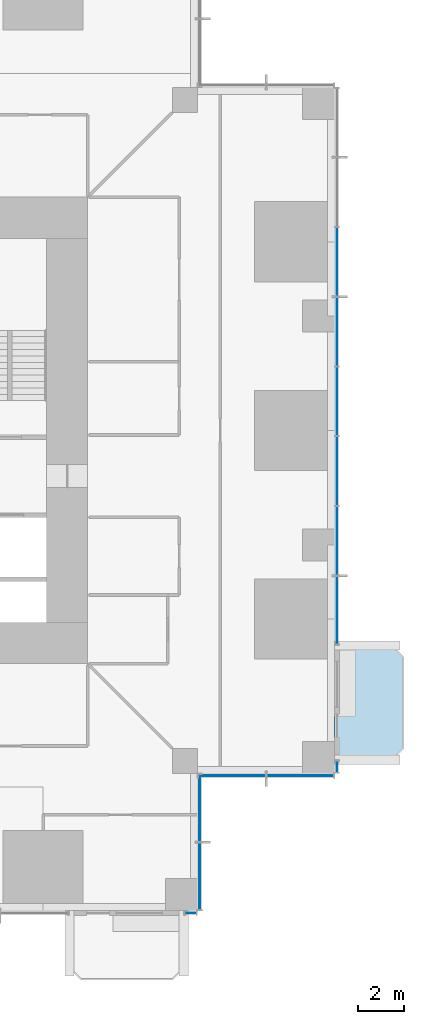
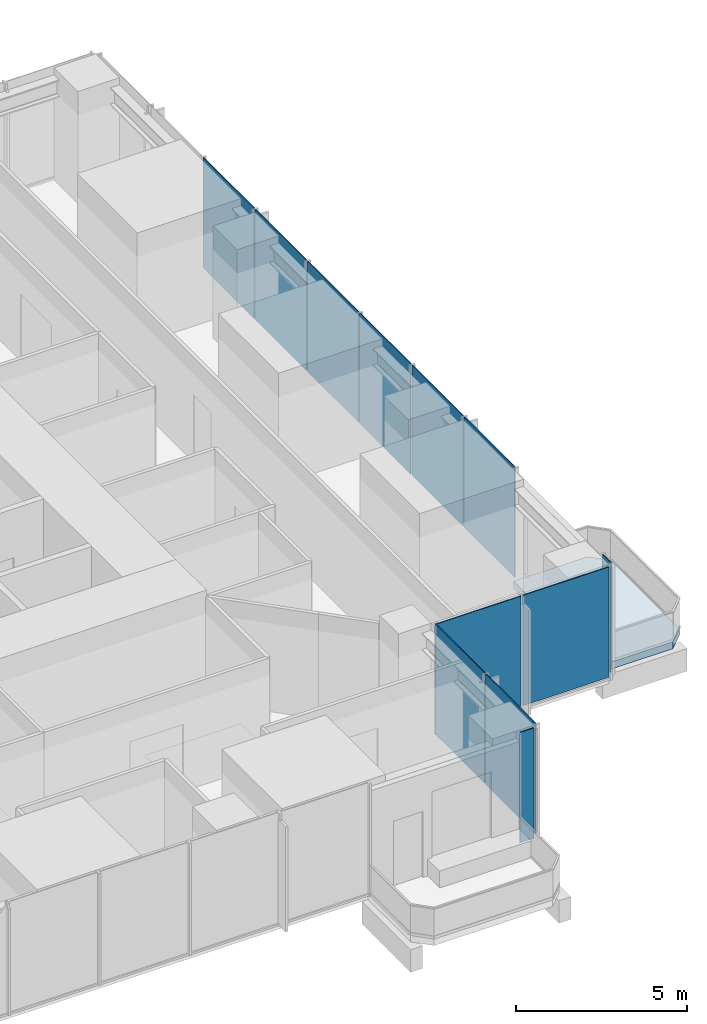
# One storey, part 8 of 15: 12 plates, 1 slab, 5 elements without a shape of their own.
"""IFC4 building model written with IfcOpenShell, lengths in metres."""

from ifc_helpers import new_model, si_unit, direction, frame, origin, origin_2d, place, context, subcontext, project, spatial, polyline, rectangle, outline, extrude, material, layer, layer_set, type_object, element, aggregate, save


model = new_model("IFC4")

# Units and contexts
model_context = context("Model", 3, precision=1e-05, world=origin(), true_north=direction((0.0, 1.0)))
body_context = subcontext(model_context, "Body", "Model", "MODEL_VIEW")
ifc_project = project(units=[si_unit("LENGTHUNIT", "METRE"), si_unit("AREAUNIT", "SQUARE_METRE"), si_unit("VOLUMEUNIT", "CUBIC_METRE"), si_unit("PLANEANGLEUNIT", "RADIAN"), si_unit("MASSUNIT", "GRAM", prefix="KILO")], contexts=[model_context])

# Site, building, storey
site_placement = place(None, origin())
site = spatial("IfcSite", under=ifc_project, at=site_placement, CompositionType="ELEMENT")
building_placement = place(site_placement, origin())
building = spatial("IfcBuilding", under=site, at=building_placement, Name="Svetlomir Tower", CompositionType="ELEMENT")
storey_placement = place(building_placement, frame((0.0, 0.0, 26.5)))
storey = spatial("IfcBuildingStorey", under=building, at=storey_placement, Name="L05", CompositionType="ELEMENT", Elevation=26.5)

# Slab
ifc_material_1 = material(Name="Concrete C60/75", Category="concrete")
ifc_layer_1 = layer(ifc_material_1, 0.25)
ifc_layer_set_1 = layer_set([ifc_layer_1], Name="Concrete C60/75")
slab_type = type_object("IfcSlabType", Name="BALCONY SLAB 250", PredefinedType="FLOOR", material=ifc_layer_set_1)
slab_placement = place(storey_placement, frame((0.0, 0.0, -0.25)))
element("IfcSlab", 1, at=slab_placement, inside=storey, type_object=slab_type, Name="L05 E planted balcony", PredefinedType="FLOOR", context=body_context, shape_type="SweptSolid", body=[
    extrude(outline(polyline([(42.0, 6.60009765625), (44.5, 6.60009765625), (45.0, 7.10009765625), (45.0, 11.10009765625), (44.5, 11.60009765625), (42.0, 11.60009765625), (42.0, 6.60009765625)])), origin(), (0.0, 0.0, 1.0), 0.25),
])

# Curtain wall, plate
ifc_material_2 = material(Name="Bronze anodised aluminium curtain wall", Category="aluminium")
curtain_wall_type = type_object("IfcCurtainWallType", Name="CURTAIN WALL CW1 TOWER OFFICE", PredefinedType="NOTDEFINED", material=ifc_material_2)
curtain_wall_1_placement = place(storey_placement, origin())
curtain_wall_1 = element("IfcCurtainWall", 2, at=curtain_wall_1_placement, inside=storey, type_object=curtain_wall_type, Name="Curtain wall CW1 L05", PredefinedType="NOTDEFINED")
ifc_material_3 = material(Name="Tinted double glazed unit", Category="glass")
ifc_layer_2 = layer(ifc_material_3, 0.031982421875)
ifc_layer_set_2 = layer_set([ifc_layer_2], Name="Tinted double glazed unit")
plate_type = type_object("IfcPlateType", Name="CW1 GLAZED PANEL 32", PredefinedType="CURTAIN_PANEL", material=ifc_layer_set_2)
plate_1_placement = place(storey_placement, frame((35.699951171875, -0.10009765625, 0.06494140625), z_axis=(0.0, 0.0, 1.0), x_axis=(1.0, 0.0, 0.0)))
plate_1 = element("IfcPlate", 3, at=plate_1_placement, type_object=plate_type, Name="CW1 panel 1.1", PredefinedType="CURTAIN_PANEL", context=body_context, shape_type="SweptSolid", body=[
    extrude(rectangle(XDim=0.469970703125, YDim=0.031982421875, at=origin_2d()), origin(), (0.0, 0.0, 1.0), 3.93505859375),
])
aggregate(curtain_wall_1, [plate_1])

# Curtain wall, plates
curtain_wall_2_placement = place(storey_placement, origin())
curtain_wall_2 = element("IfcCurtainWall", 4, at=curtain_wall_2_placement, inside=storey, type_object=curtain_wall_type, Name="Curtain wall CW1 L05", PredefinedType="NOTDEFINED")
plate_2_placement = place(storey_placement, frame((36.10009765625, 1.516357421875, 0.06494140625), z_axis=(0.0, 0.0, 1.0), x_axis=(0.0, 1.0, 0.0)))
plate_2 = element("IfcPlate", 5, at=plate_2_placement, type_object=plate_type, Name="CW1 panel 1.1", PredefinedType="CURTAIN_PANEL", context=body_context, shape_type="SweptSolid", body=[
    extrude(rectangle(XDim=2.902587890625, YDim=0.031982421875, at=origin_2d()), origin(), (0.0, 0.0, 1.0), 3.93505859375),
])
plate_3_placement = place(storey_placement, frame((36.10009765625, 4.483642578125, 0.06494140625), z_axis=(0.0, 0.0, 1.0), x_axis=(0.0, 1.0, 0.0)))
plate_3 = element("IfcPlate", 6, at=plate_3_placement, type_object=plate_type, Name="CW1 panel 2.1", PredefinedType="CURTAIN_PANEL", context=body_context, shape_type="SweptSolid", body=[
    extrude(rectangle(XDim=2.902587890625, YDim=0.031982421875, at=origin_2d()), origin(), (0.0, 0.0, 1.0), 3.93505859375),
])
aggregate(curtain_wall_2, [plate_2, plate_3])

curtain_wall_3_placement = place(storey_placement, origin())
curtain_wall_3 = element("IfcCurtainWall", 7, at=curtain_wall_3_placement, inside=storey, type_object=curtain_wall_type, Name="Curtain wall CW1 L05", PredefinedType="NOTDEFINED")
plate_4_placement = place(storey_placement, frame((37.516357421875, 5.89990234375, 0.06494140625), z_axis=(0.0, 0.0, 1.0), x_axis=(1.0, 0.0, 0.0)))
plate_4 = element("IfcPlate", 8, at=plate_4_placement, type_object=plate_type, Name="CW1 panel 1.1", PredefinedType="CURTAIN_PANEL", context=body_context, shape_type="SweptSolid", body=[
    extrude(rectangle(XDim=2.902587890625, YDim=0.031982421875, at=origin_2d()), origin(), (0.0, 0.0, 1.0), 3.93505859375),
])
plate_5_placement = place(storey_placement, frame((40.483642578125, 5.89990234375, 0.06494140625), z_axis=(0.0, 0.0, 1.0), x_axis=(1.0, 0.0, 0.0)))
plate_5 = element("IfcPlate", 9, at=plate_5_placement, type_object=plate_type, Name="CW1 panel 2.1", PredefinedType="CURTAIN_PANEL", context=body_context, shape_type="SweptSolid", body=[
    extrude(rectangle(XDim=2.902587890625, YDim=0.031982421875, at=origin_2d()), origin(), (0.0, 0.0, 1.0), 3.93505859375),
])
aggregate(curtain_wall_3, [plate_4, plate_5])

# Curtain wall, plate
curtain_wall_4_placement = place(storey_placement, origin())
curtain_wall_4 = element("IfcCurtainWall", 10, at=curtain_wall_4_placement, inside=storey, type_object=curtain_wall_type, Name="Curtain wall CW1 L05", PredefinedType="NOTDEFINED")
plate_6_placement = place(storey_placement, frame((42.10009765625, 6.300048828125, 0.06494140625), z_axis=(0.0, 0.0, 1.0), x_axis=(0.0, 1.0, 0.0)))
plate_6 = element("IfcPlate", 11, at=plate_6_placement, type_object=plate_type, Name="CW1 panel 1.1", PredefinedType="CURTAIN_PANEL", context=body_context, shape_type="SweptSolid", body=[
    extrude(rectangle(XDim=0.469970703125, YDim=0.031982421875, at=origin_2d()), origin(), (0.0, 0.0, 1.0), 3.93505859375),
])
aggregate(curtain_wall_4, [plate_6])

# Curtain wall, plates
curtain_wall_5_placement = place(storey_placement, origin())
curtain_wall_5 = element("IfcCurtainWall", 12, at=curtain_wall_5_placement, inside=storey, type_object=curtain_wall_type, Name="Curtain wall CW1 L05", PredefinedType="NOTDEFINED")
plate_7_placement = place(storey_placement, frame((42.10009765625, 13.141357421875, 0.06494140625), z_axis=(0.0, 0.0, 1.0), x_axis=(0.0, 1.0, 0.0)))
plate_7 = element("IfcPlate", 13, at=plate_7_placement, type_object=plate_type, Name="CW1 panel 1.1", PredefinedType="CURTAIN_PANEL", context=body_context, shape_type="SweptSolid", body=[
    extrude(rectangle(XDim=2.952392578125, YDim=0.031982421875, at=origin_2d()), origin(), (0.0, 0.0, 1.0), 3.93505859375),
])
plate_8_placement = place(storey_placement, frame((42.10009765625, 16.175048828125, 0.06494140625), z_axis=(0.0, 0.0, 1.0), x_axis=(0.0, 1.0, 0.0)))
plate_8 = element("IfcPlate", 14, at=plate_8_placement, type_object=plate_type, Name="CW1 panel 2.1", PredefinedType="CURTAIN_PANEL", context=body_context, shape_type="SweptSolid", body=[
    extrude(rectangle(XDim=2.985107421875, YDim=0.031982421875, at=origin_2d()), origin(), (0.0, 0.0, 1.0), 3.93505859375),
])
plate_9_placement = place(storey_placement, frame((42.10009765625, 19.22509765625, 0.06494140625), z_axis=(0.0, 0.0, 1.0), x_axis=(0.0, 1.0, 0.0)))
plate_9 = element("IfcPlate", 15, at=plate_9_placement, type_object=plate_type, Name="CW1 panel 3.1", PredefinedType="CURTAIN_PANEL", context=body_context, shape_type="SweptSolid", body=[
    extrude(rectangle(XDim=2.985107421875, YDim=0.031982421875, at=origin_2d()), origin(), (0.0, 0.0, 1.0), 3.93505859375),
])
plate_10_placement = place(storey_placement, frame((42.10009765625, 22.27490234375, 0.06494140625), z_axis=(0.0, 0.0, 1.0), x_axis=(0.0, 1.0, 0.0)))
plate_10 = element("IfcPlate", 16, at=plate_10_placement, type_object=plate_type, Name="CW1 panel 4.1", PredefinedType="CURTAIN_PANEL", context=body_context, shape_type="SweptSolid", body=[
    extrude(rectangle(XDim=2.985107421875, YDim=0.031982421875, at=origin_2d()), origin(), (0.0, 0.0, 1.0), 3.93505859375),
])
plate_11_placement = place(storey_placement, frame((42.10009765625, 25.324951171875, 0.06494140625), z_axis=(0.0, 0.0, 1.0), x_axis=(0.0, 1.0, 0.0)))
plate_11 = element("IfcPlate", 17, at=plate_11_placement, type_object=plate_type, Name="CW1 panel 5.1", PredefinedType="CURTAIN_PANEL", context=body_context, shape_type="SweptSolid", body=[
    extrude(rectangle(XDim=2.985107421875, YDim=0.031982421875, at=origin_2d()), origin(), (0.0, 0.0, 1.0), 3.93505859375),
])
plate_12_placement = place(storey_placement, frame((42.10009765625, 28.375, 0.06494140625), z_axis=(0.0, 0.0, 1.0), x_axis=(0.0, 1.0, 0.0)))
plate_12 = element("IfcPlate", 18, at=plate_12_placement, type_object=plate_type, Name="CW1 panel 6.1", PredefinedType="CURTAIN_PANEL", context=body_context, shape_type="SweptSolid", body=[
    extrude(rectangle(XDim=2.985107421875, YDim=0.031982421875, at=origin_2d()), origin(), (0.0, 0.0, 1.0), 3.93505859375),
])
aggregate(curtain_wall_5, [plate_7, plate_8, plate_9, plate_10, plate_11, plate_12])

save(model, "model.ifc")
